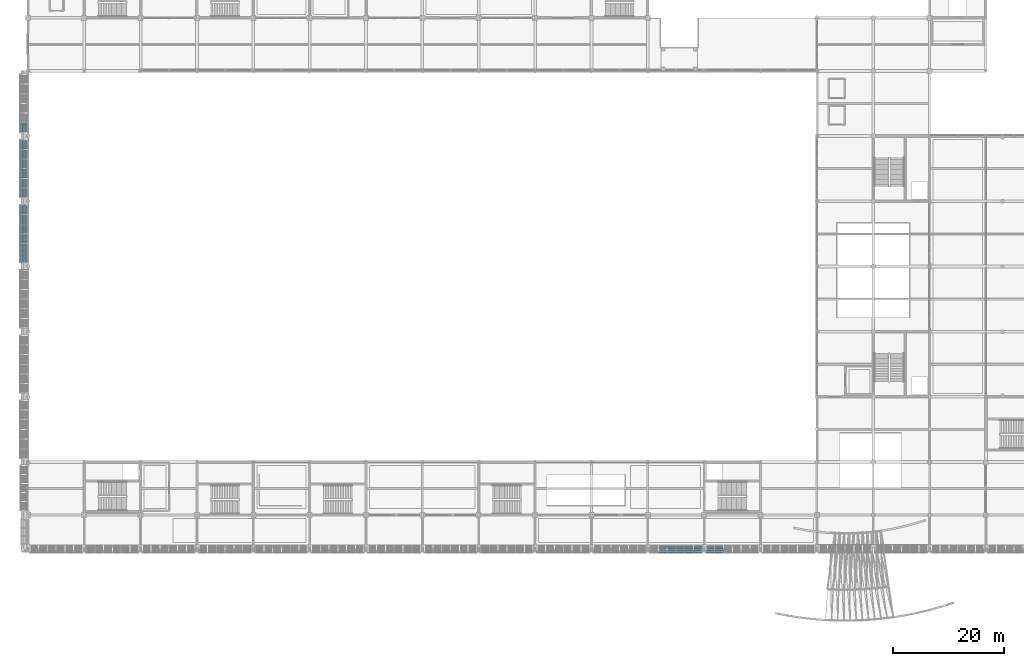
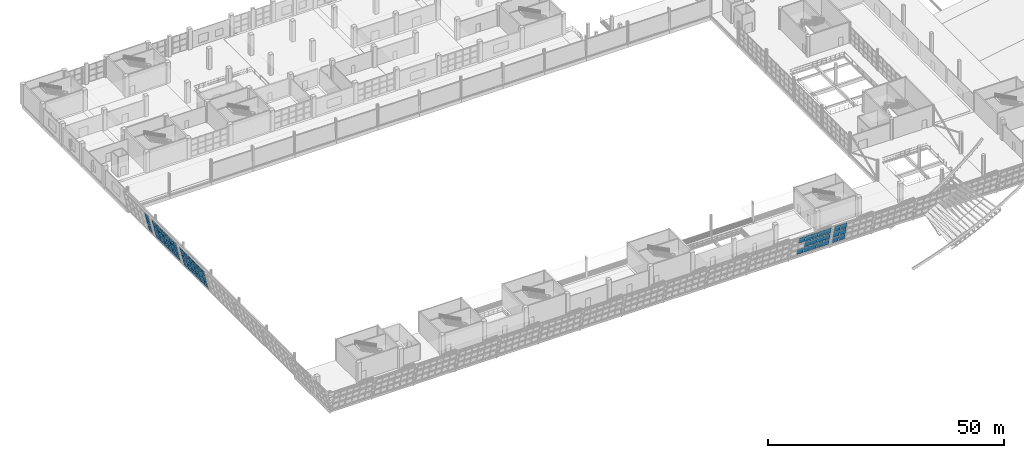
# One storey, part 107 of 175: 59 plates, 5 elements without a shape of their own.
"""IFC4 building model written with IfcOpenShell, lengths in metres."""

from ifc_helpers import new_model, si_unit, direction, frame, origin, place, context, subcontext, project, spatial, polyline, outline, extrude, material, layer, layer_set, type_object, element, aggregate, save


model = new_model("IFC4")

# Units and contexts
model_context = context("Model", 3, precision=1e-05, world=origin(), true_north=direction((0.0, 1.0)))
body_context = subcontext(model_context, "Body", "Model", "MODEL_VIEW")
ifc_project = project(units=[si_unit("LENGTHUNIT", "METRE"), si_unit("AREAUNIT", "SQUARE_METRE"), si_unit("VOLUMEUNIT", "CUBIC_METRE"), si_unit("PLANEANGLEUNIT", "RADIAN"), si_unit("MASSUNIT", "GRAM", prefix="KILO")], contexts=[model_context])

# Site, building, storey
site_placement = place(None, origin())
site = spatial("IfcSite", under=ifc_project, at=site_placement, CompositionType="ELEMENT")
building_placement = place(site_placement, origin())
building = spatial("IfcBuilding", under=site, at=building_placement, Name="Brelvane Convention Centre", CompositionType="ELEMENT")
storey_placement = place(building_placement, frame((0.0, 0.0, 5.39990234375)))
storey = spatial("IfcBuildingStorey", under=building, at=storey_placement, Name="L01", CompositionType="ELEMENT", Elevation=5.39990234375)

# Curtain wall, plates
ifc_material_1 = material(Name="Anodised Aluminium Alloy 6063-T6", Category="aluminium")
curtain_wall_type = type_object("IfcCurtainWallType", Name="Curtain Wall CW-HULL-S", PredefinedType="USERDEFINED", material=ifc_material_1)
curtain_wall_1_placement = place(storey_placement, origin())
curtain_wall_1 = element("IfcCurtainWall", 1, at=curtain_wall_1_placement, inside=storey, type_object=curtain_wall_type, Name="Curtain Wall CW-HULL-S L01-HULL-S-L01-12", ObjectType="UNITISED", PredefinedType="USERDEFINED")
ifc_material_2 = material(Name="Double Glazed Low-E Laminated Unit")
ifc_layer_1 = layer(ifc_material_2, 0.031982421875)
ifc_layer_set_1 = layer_set([ifc_layer_1], Name="Double Glazed Low-E Laminated Unit")
plate_type_1 = type_object("IfcPlateType", Name="Curtain Panel CW-PG1", PredefinedType="CURTAIN_PANEL", material=ifc_layer_set_1)
plate_1_placement = place(storey_placement, frame((114.1533203125, 12.785400390625, 3.473388671875), z_axis=(0.0, 0.973577021422, 0.228358891569), x_axis=(1.0, 0.0, 0.0)))
plate_1 = element("IfcPlate", 2, at=plate_1_placement, type_object=plate_type_1, Name="CW-HULL-S panel 2.3", PredefinedType="CURTAIN_PANEL", context=body_context, shape_type="SweptSolid", body=[
    extrude(outline(polyline([(0.0, 0.0), (1.513427734375, 0.0), (1.513427734375, -1.6400137352949753), (0.0, -1.6400137352949753), (0.0, 0.0)])), origin(), (0.0, 0.0, -1.0), 0.031982421875),
])
plate_2_placement = place(storey_placement, frame((115.74658203125, 13.18798828125, 1.7568359375), z_axis=(0.0, 0.973584535906, 0.228326852222), x_axis=(1.0, 0.0, 0.0)))
plate_2 = element("IfcPlate", 3, at=plate_2_placement, type_object=plate_type_1, Name="CW-HULL-S panel 3.2", PredefinedType="CURTAIN_PANEL", context=body_context, shape_type="SweptSolid", body=[
    extrude(outline(polyline([(0.0, 0.0), (1.513427734375, 0.0), (1.513427734375, -1.680875721647406), (0.0, -1.680875721647406), (0.0, 0.0)])), origin(), (0.0, 0.0, -1.0), 0.031982421875),
])
plate_3_placement = place(storey_placement, frame((115.74658203125, 12.785400390625, 3.473388671875), z_axis=(0.0, 0.973577021422, 0.228358891569), x_axis=(1.0, 0.0, 0.0)))
plate_3 = element("IfcPlate", 4, at=plate_3_placement, type_object=plate_type_1, Name="CW-HULL-S panel 3.3", PredefinedType="CURTAIN_PANEL", context=body_context, shape_type="SweptSolid", body=[
    extrude(outline(polyline([(0.0, 0.0), (1.513427734375, 0.0), (1.513427734375, -1.6400137352949753), (0.0, -1.6400137352949753), (0.0, 0.0)])), origin(), (0.0, 0.0, -1.0), 0.031982421875),
])
plate_4_placement = place(storey_placement, frame((117.340087890625, 13.18798828125, 1.7568359375), z_axis=(0.0, 0.973584535906, 0.228326852222), x_axis=(1.0, 0.0, 0.0)))
plate_4 = element("IfcPlate", 5, at=plate_4_placement, type_object=plate_type_1, Name="CW-HULL-S panel 4.2", PredefinedType="CURTAIN_PANEL", context=body_context, shape_type="SweptSolid", body=[
    extrude(outline(polyline([(0.0, 0.0), (1.51318359375, 0.0), (1.51318359375, -1.680875721647406), (0.0, -1.680875721647406), (0.0, 0.0)])), origin(), (0.0, 0.0, -1.0), 0.031982421875),
])
plate_5_placement = place(storey_placement, frame((117.340087890625, 12.785400390625, 3.473388671875), z_axis=(0.0, 0.973577021422, 0.228358891569), x_axis=(1.0, 0.0, 0.0)))
plate_5 = element("IfcPlate", 6, at=plate_5_placement, type_object=plate_type_1, Name="CW-HULL-S panel 4.3", PredefinedType="CURTAIN_PANEL", context=body_context, shape_type="SweptSolid", body=[
    extrude(outline(polyline([(0.0, 0.0), (1.51318359375, 0.0), (1.51318359375, -1.640013735294975), (0.0, -1.640013735294975), (0.0, 0.0)])), origin(), (0.0, 0.0, -1.0), 0.031982421875),
])
plate_6_placement = place(storey_placement, frame((118.933349609375, 13.18798828125, 1.7568359375), z_axis=(0.0, 0.973584535906, 0.228326852222), x_axis=(1.0, 0.0, 0.0)))
plate_6 = element("IfcPlate", 7, at=plate_6_placement, type_object=plate_type_1, Name="CW-HULL-S panel 5.2", PredefinedType="CURTAIN_PANEL", context=body_context, shape_type="SweptSolid", body=[
    extrude(outline(polyline([(0.0, 0.0), (1.513427734375, 0.0), (1.513427734375, -1.680875721647406), (0.0, -1.680875721647406), (0.0, 0.0)])), origin(), (0.0, 0.0, -1.0), 0.031982421875),
])
plate_7_placement = place(storey_placement, frame((118.933349609375, 12.785400390625, 3.473388671875), z_axis=(0.0, 0.973577021422, 0.228358891569), x_axis=(1.0, 0.0, 0.0)))
plate_7 = element("IfcPlate", 8, at=plate_7_placement, type_object=plate_type_1, Name="CW-HULL-S panel 5.3", PredefinedType="CURTAIN_PANEL", context=body_context, shape_type="SweptSolid", body=[
    extrude(outline(polyline([(0.0, 0.0), (1.513427734375, 0.0), (1.513427734375, -1.6400137352949753), (0.0, -1.6400137352949753), (0.0, 0.0)])), origin(), (0.0, 0.0, -1.0), 0.031982421875),
])
plate_8_placement = place(storey_placement, frame((120.526611328125, 13.18798828125, 1.7568359375), z_axis=(0.0, 0.973584535906, 0.228326852222), x_axis=(1.0, 0.0, 0.0)))
plate_8 = element("IfcPlate", 9, at=plate_8_placement, type_object=plate_type_1, Name="CW-HULL-S panel 6.2", PredefinedType="CURTAIN_PANEL", context=body_context, shape_type="SweptSolid", body=[
    extrude(outline(polyline([(0.0, 0.0), (1.473388671875, 0.0), (1.473388671875, -1.680875721647406), (0.0, -1.680875721647406), (0.0, 0.0)])), origin(), (0.0, 0.0, -1.0), 0.031982421875),
])
plate_9_placement = place(storey_placement, frame((120.526611328125, 12.785400390625, 3.473388671875), z_axis=(0.0, 0.973577021422, 0.228358891569), x_axis=(1.0, 0.0, 0.0)))
plate_9 = element("IfcPlate", 10, at=plate_9_placement, type_object=plate_type_1, Name="CW-HULL-S panel 6.3", PredefinedType="CURTAIN_PANEL", context=body_context, shape_type="SweptSolid", body=[
    extrude(outline(polyline([(0.0, 0.0), (1.473388671875, 0.0), (1.473388671875, -1.640013735294975), (0.0, -1.640013735294975), (0.0, 0.0)])), origin(), (0.0, 0.0, -1.0), 0.031982421875),
])

curtain_wall_2_placement = place(storey_placement, origin())
curtain_wall_2 = element("IfcCurtainWall", 11, at=curtain_wall_2_placement, inside=storey, type_object=curtain_wall_type, Name="Curtain Wall CW-HULL-S L01-HULL-S-L01-13", ObjectType="UNITISED", PredefinedType="USERDEFINED")
plate_10_placement = place(storey_placement, frame((122.800048828125, 13.18798828125, 1.7568359375), z_axis=(0.0, 0.973584535906, 0.228326852222), x_axis=(1.0, 0.0, 0.0)))
plate_10 = element("IfcPlate", 12, at=plate_10_placement, type_object=plate_type_1, Name="CW-HULL-S panel 1.2", PredefinedType="CURTAIN_PANEL", context=body_context, shape_type="SweptSolid", body=[
    extrude(outline(polyline([(0.0, 0.0), (1.473388671875, 0.0), (1.473388671875, -1.680875721647406), (0.0, -1.680875721647406), (0.0, 0.0)])), origin(), (0.0, 0.0, -1.0), 0.031982421875),
])
plate_11_placement = place(storey_placement, frame((122.800048828125, 12.785400390625, 3.473388671875), z_axis=(0.0, 0.973577021422, 0.228358891569), x_axis=(1.0, 0.0, 0.0)))
plate_11 = element("IfcPlate", 13, at=plate_11_placement, type_object=plate_type_1, Name="CW-HULL-S panel 1.3", PredefinedType="CURTAIN_PANEL", context=body_context, shape_type="SweptSolid", body=[
    extrude(outline(polyline([(0.0, 0.0), (1.473388671875, 0.0), (1.473388671875, -1.640013735294975), (0.0, -1.640013735294975), (0.0, 0.0)])), origin(), (0.0, 0.0, -1.0), 0.031982421875),
])
plate_12_placement = place(storey_placement, frame((124.353271484375, 13.18798828125, 1.7568359375), z_axis=(0.0, 0.973584535906, 0.228326852222), x_axis=(1.0, 0.0, 0.0)))
plate_12 = element("IfcPlate", 14, at=plate_12_placement, type_object=plate_type_1, Name="CW-HULL-S panel 2.2", PredefinedType="CURTAIN_PANEL", context=body_context, shape_type="SweptSolid", body=[
    extrude(outline(polyline([(0.0, 0.0), (1.513427734375, 0.0), (1.513427734375, -1.680875721647406), (0.0, -1.680875721647406), (0.0, 0.0)])), origin(), (0.0, 0.0, -1.0), 0.031982421875),
])
plate_13_placement = place(storey_placement, frame((124.353271484375, 12.785400390625, 3.473388671875), z_axis=(0.0, 0.973577021422, 0.228358891569), x_axis=(1.0, 0.0, 0.0)))
plate_13 = element("IfcPlate", 15, at=plate_13_placement, type_object=plate_type_1, Name="CW-HULL-S panel 2.3", PredefinedType="CURTAIN_PANEL", context=body_context, shape_type="SweptSolid", body=[
    extrude(outline(polyline([(0.0, 0.0), (1.513427734375, 0.0), (1.513427734375, -1.6400137352949753), (0.0, -1.6400137352949753), (0.0, 0.0)])), origin(), (0.0, 0.0, -1.0), 0.031982421875),
])

curtain_wall_3_placement = place(storey_placement, origin())
curtain_wall_3 = element("IfcCurtainWall", 16, at=curtain_wall_3_placement, inside=storey, type_object=curtain_wall_type, Name="Curtain Wall CW-HULL-S L01-HULL-W-L01-4", ObjectType="UNITISED", PredefinedType="USERDEFINED")
plate_14_placement = place(storey_placement, frame((-0.543701171875, 64.925048828125, 1.74169921875), z_axis=(0.9735519665, 0.0, 0.22846568347), x_axis=(0.0, 1.0, 0.0)))
plate_14 = element("IfcPlate", 17, at=plate_14_placement, type_object=plate_type_1, Name="CW-HULL-S panel 1.2", PredefinedType="CURTAIN_PANEL", context=body_context, shape_type="SweptSolid", body=[
    extrude(outline(polyline([(0.0, 0.0), (1.637451171875, 0.0), (1.637451171875, 1.6606193345403597), (0.0, 1.6606193345403597), (0.0, 0.0)])), origin(), (0.0, 0.0, -1.0), 0.031982421875),
])
plate_15_placement = place(storey_placement, frame((-0.939453125, 64.925048828125, 3.428466796875), z_axis=(0.973592305748, 0.0, 0.228293719116), x_axis=(0.0, 1.0, 0.0)))
plate_15 = element("IfcPlate", 18, at=plate_15_placement, type_object=plate_type_1, Name="CW-HULL-S panel 1.3", PredefinedType="CURTAIN_PANEL", context=body_context, shape_type="SweptSolid", body=[
    extrude(outline(polyline([(0.0, 0.0), (1.637451171875, 0.0), (1.637451171875, 1.6244407021421723), (0.0, 1.6244407021421723), (0.0, 0.0)])), origin(), (0.0, 0.0, -1.0), 0.031982421875),
])
plate_16_placement = place(storey_placement, frame((-0.543701171875, 66.637451171875, 1.74169921875), z_axis=(0.9735519665, 0.0, 0.22846568347), x_axis=(0.0, 1.0, 0.0)))
plate_16 = element("IfcPlate", 19, at=plate_16_placement, type_object=plate_type_1, Name="CW-HULL-S panel 2.2", PredefinedType="CURTAIN_PANEL", context=body_context, shape_type="SweptSolid", body=[
    extrude(outline(polyline([(0.0, 0.0), (1.675048828125, 0.0), (1.675048828125, 1.66061933454036), (0.0, 1.66061933454036), (0.0, 0.0)])), origin(), (0.0, 0.0, -1.0), 0.031982421875),
])
plate_17_placement = place(storey_placement, frame((-0.939453125, 66.637451171875, 3.428466796875), z_axis=(0.973592305748, 0.0, 0.228293719116), x_axis=(0.0, 1.0, 0.0)))
plate_17 = element("IfcPlate", 20, at=plate_17_placement, type_object=plate_type_1, Name="CW-HULL-S panel 2.3", PredefinedType="CURTAIN_PANEL", context=body_context, shape_type="SweptSolid", body=[
    extrude(outline(polyline([(0.0, 0.0), (1.675048828125, 0.0), (1.675048828125, 1.624440702142172), (0.0, 1.624440702142172), (0.0, 0.0)])), origin(), (0.0, 0.0, -1.0), 0.031982421875),
])
plate_18_placement = place(storey_placement, frame((-0.543701171875, 68.387451171875, 1.74169921875), z_axis=(0.9735519665, 0.0, 0.22846568347), x_axis=(0.0, 1.0, 0.0)))
plate_18 = element("IfcPlate", 21, at=plate_18_placement, type_object=plate_type_1, Name="CW-HULL-S panel 3.2", PredefinedType="CURTAIN_PANEL", context=body_context, shape_type="SweptSolid", body=[
    extrude(outline(polyline([(0.0, 0.0), (1.675048828125, 0.0), (1.675048828125, 1.66061933454036), (0.0, 1.66061933454036), (0.0, 0.0)])), origin(), (0.0, 0.0, -1.0), 0.031982421875),
])
plate_19_placement = place(storey_placement, frame((-0.939453125, 68.387451171875, 3.428466796875), z_axis=(0.973592305748, 0.0, 0.228293719116), x_axis=(0.0, 1.0, 0.0)))
plate_19 = element("IfcPlate", 22, at=plate_19_placement, type_object=plate_type_1, Name="CW-HULL-S panel 3.3", PredefinedType="CURTAIN_PANEL", context=body_context, shape_type="SweptSolid", body=[
    extrude(outline(polyline([(0.0, 0.0), (1.675048828125, 0.0), (1.675048828125, 1.624440702142172), (0.0, 1.624440702142172), (0.0, 0.0)])), origin(), (0.0, 0.0, -1.0), 0.031982421875),
])
plate_20_placement = place(storey_placement, frame((-0.543701171875, 70.137451171875, 1.74169921875), z_axis=(0.9735519665, 0.0, 0.22846568347), x_axis=(0.0, 1.0, 0.0)))
plate_20 = element("IfcPlate", 23, at=plate_20_placement, type_object=plate_type_1, Name="CW-HULL-S panel 4.2", PredefinedType="CURTAIN_PANEL", context=body_context, shape_type="SweptSolid", body=[
    extrude(outline(polyline([(0.0, 0.0), (1.675048828125, 0.0), (1.675048828125, 1.66061933454036), (0.0, 1.66061933454036), (0.0, 0.0)])), origin(), (0.0, 0.0, -1.0), 0.031982421875),
])
plate_21_placement = place(storey_placement, frame((-0.939453125, 70.137451171875, 3.428466796875), z_axis=(0.973592305748, 0.0, 0.228293719116), x_axis=(0.0, 1.0, 0.0)))
plate_21 = element("IfcPlate", 24, at=plate_21_placement, type_object=plate_type_1, Name="CW-HULL-S panel 4.3", PredefinedType="CURTAIN_PANEL", context=body_context, shape_type="SweptSolid", body=[
    extrude(outline(polyline([(0.0, 0.0), (1.675048828125, 0.0), (1.675048828125, 1.624440702142172), (0.0, 1.624440702142172), (0.0, 0.0)])), origin(), (0.0, 0.0, -1.0), 0.031982421875),
])
plate_22_placement = place(storey_placement, frame((-0.543701171875, 71.887451171875, 1.74169921875), z_axis=(0.9735519665, 0.0, 0.22846568347), x_axis=(0.0, 1.0, 0.0)))
plate_22 = element("IfcPlate", 25, at=plate_22_placement, type_object=plate_type_1, Name="CW-HULL-S panel 5.2", PredefinedType="CURTAIN_PANEL", context=body_context, shape_type="SweptSolid", body=[
    extrude(outline(polyline([(0.0, 0.0), (1.675048828125, 0.0), (1.675048828125, 1.66061933454036), (0.0, 1.66061933454036), (0.0, 0.0)])), origin(), (0.0, 0.0, -1.0), 0.031982421875),
])
plate_23_placement = place(storey_placement, frame((-0.939453125, 71.887451171875, 3.428466796875), z_axis=(0.973592305748, 0.0, 0.228293719116), x_axis=(0.0, 1.0, 0.0)))
plate_23 = element("IfcPlate", 26, at=plate_23_placement, type_object=plate_type_1, Name="CW-HULL-S panel 5.3", PredefinedType="CURTAIN_PANEL", context=body_context, shape_type="SweptSolid", body=[
    extrude(outline(polyline([(0.0, 0.0), (1.675048828125, 0.0), (1.675048828125, 1.624440702142172), (0.0, 1.624440702142172), (0.0, 0.0)])), origin(), (0.0, 0.0, -1.0), 0.031982421875),
])
plate_24_placement = place(storey_placement, frame((-0.543701171875, 73.637451171875, 1.74169921875), z_axis=(0.9735519665, 0.0, 0.22846568347), x_axis=(0.0, 1.0, 0.0)))
plate_24 = element("IfcPlate", 27, at=plate_24_placement, type_object=plate_type_1, Name="CW-HULL-S panel 6.2", PredefinedType="CURTAIN_PANEL", context=body_context, shape_type="SweptSolid", body=[
    extrude(outline(polyline([(0.0, 0.0), (1.637451171875, 0.0), (1.637451171875, 1.6606193345403597), (0.0, 1.6606193345403597), (0.0, 0.0)])), origin(), (0.0, 0.0, -1.0), 0.031982421875),
])
plate_25_placement = place(storey_placement, frame((-0.939453125, 73.637451171875, 3.428466796875), z_axis=(0.973592305748, 0.0, 0.228293719116), x_axis=(0.0, 1.0, 0.0)))
plate_25 = element("IfcPlate", 28, at=plate_25_placement, type_object=plate_type_1, Name="CW-HULL-S panel 6.3", PredefinedType="CURTAIN_PANEL", context=body_context, shape_type="SweptSolid", body=[
    extrude(outline(polyline([(0.0, 0.0), (1.637451171875, 0.0), (1.637451171875, 1.6244407021421723), (0.0, 1.6244407021421723), (0.0, 0.0)])), origin(), (0.0, 0.0, -1.0), 0.031982421875),
])

curtain_wall_4_placement = place(storey_placement, origin())
curtain_wall_4 = element("IfcCurtainWall", 29, at=curtain_wall_4_placement, inside=storey, type_object=curtain_wall_type, Name="Curtain Wall CW-HULL-S L01-HULL-W-L01-5", ObjectType="UNITISED", PredefinedType="USERDEFINED")
plate_26_placement = place(storey_placement, frame((-0.543701171875, 76.72509765625, 1.74169921875), z_axis=(0.9735519665, 0.0, 0.22846568347), x_axis=(0.0, 1.0, 0.0)))
plate_26 = element("IfcPlate", 30, at=plate_26_placement, type_object=plate_type_1, Name="CW-HULL-S panel 1.2", PredefinedType="CURTAIN_PANEL", context=body_context, shape_type="SweptSolid", body=[
    extrude(outline(polyline([(0.0, 0.0), (1.637451171875, 0.0), (1.637451171875, 1.6606193345403597), (0.0, 1.6606193345403597), (0.0, 0.0)])), origin(), (0.0, 0.0, -1.0), 0.031982421875),
])
plate_27_placement = place(storey_placement, frame((-0.939453125, 76.72509765625, 3.428466796875), z_axis=(0.973592305748, 0.0, 0.228293719116), x_axis=(0.0, 1.0, 0.0)))
plate_27 = element("IfcPlate", 31, at=plate_27_placement, type_object=plate_type_1, Name="CW-HULL-S panel 1.3", PredefinedType="CURTAIN_PANEL", context=body_context, shape_type="SweptSolid", body=[
    extrude(outline(polyline([(0.0, 0.0), (1.637451171875, 0.0), (1.637451171875, 1.6244407021421723), (0.0, 1.6244407021421723), (0.0, 0.0)])), origin(), (0.0, 0.0, -1.0), 0.031982421875),
])
plate_28_placement = place(storey_placement, frame((-0.543701171875, 78.4375, 1.74169921875), z_axis=(0.9735519665, 0.0, 0.22846568347), x_axis=(0.0, 1.0, 0.0)))
plate_28 = element("IfcPlate", 32, at=plate_28_placement, type_object=plate_type_1, Name="CW-HULL-S panel 2.2", PredefinedType="CURTAIN_PANEL", context=body_context, shape_type="SweptSolid", body=[
    extrude(outline(polyline([(0.0, 0.0), (1.675048828125, 0.0), (1.675048828125, 1.66061933454036), (0.0, 1.66061933454036), (0.0, 0.0)])), origin(), (0.0, 0.0, -1.0), 0.031982421875),
])
plate_29_placement = place(storey_placement, frame((-0.939453125, 78.4375, 3.428466796875), z_axis=(0.973592305748, 0.0, 0.228293719116), x_axis=(0.0, 1.0, 0.0)))
plate_29 = element("IfcPlate", 33, at=plate_29_placement, type_object=plate_type_1, Name="CW-HULL-S panel 2.3", PredefinedType="CURTAIN_PANEL", context=body_context, shape_type="SweptSolid", body=[
    extrude(outline(polyline([(0.0, 0.0), (1.675048828125, 0.0), (1.675048828125, 1.624440702142172), (0.0, 1.624440702142172), (0.0, 0.0)])), origin(), (0.0, 0.0, -1.0), 0.031982421875),
])
plate_30_placement = place(storey_placement, frame((-0.543701171875, 80.1875, 1.74169921875), z_axis=(0.9735519665, 0.0, 0.22846568347), x_axis=(0.0, 1.0, 0.0)))
plate_30 = element("IfcPlate", 34, at=plate_30_placement, type_object=plate_type_1, Name="CW-HULL-S panel 3.2", PredefinedType="CURTAIN_PANEL", context=body_context, shape_type="SweptSolid", body=[
    extrude(outline(polyline([(0.0, 0.0), (1.675048828125, 0.0), (1.675048828125, 1.66061933454036), (0.0, 1.66061933454036), (0.0, 0.0)])), origin(), (0.0, 0.0, -1.0), 0.031982421875),
])
plate_31_placement = place(storey_placement, frame((-0.939453125, 80.1875, 3.428466796875), z_axis=(0.973592305748, 0.0, 0.228293719116), x_axis=(0.0, 1.0, 0.0)))
plate_31 = element("IfcPlate", 35, at=plate_31_placement, type_object=plate_type_1, Name="CW-HULL-S panel 3.3", PredefinedType="CURTAIN_PANEL", context=body_context, shape_type="SweptSolid", body=[
    extrude(outline(polyline([(0.0, 0.0), (1.675048828125, 0.0), (1.675048828125, 1.624440702142172), (0.0, 1.624440702142172), (0.0, 0.0)])), origin(), (0.0, 0.0, -1.0), 0.031982421875),
])
plate_32_placement = place(storey_placement, frame((-0.543701171875, 81.9375, 1.74169921875), z_axis=(0.9735519665, 0.0, 0.22846568347), x_axis=(0.0, 1.0, 0.0)))
plate_32 = element("IfcPlate", 36, at=plate_32_placement, type_object=plate_type_1, Name="CW-HULL-S panel 4.2", PredefinedType="CURTAIN_PANEL", context=body_context, shape_type="SweptSolid", body=[
    extrude(outline(polyline([(0.0, 0.0), (1.675048828125, 0.0), (1.675048828125, 1.66061933454036), (0.0, 1.66061933454036), (0.0, 0.0)])), origin(), (0.0, 0.0, -1.0), 0.031982421875),
])
plate_33_placement = place(storey_placement, frame((-0.939453125, 81.9375, 3.428466796875), z_axis=(0.973592305748, 0.0, 0.228293719116), x_axis=(0.0, 1.0, 0.0)))
plate_33 = element("IfcPlate", 37, at=plate_33_placement, type_object=plate_type_1, Name="CW-HULL-S panel 4.3", PredefinedType="CURTAIN_PANEL", context=body_context, shape_type="SweptSolid", body=[
    extrude(outline(polyline([(0.0, 0.0), (1.675048828125, 0.0), (1.675048828125, 1.624440702142172), (0.0, 1.624440702142172), (0.0, 0.0)])), origin(), (0.0, 0.0, -1.0), 0.031982421875),
])
plate_34_placement = place(storey_placement, frame((-0.543701171875, 83.6875, 1.74169921875), z_axis=(0.9735519665, 0.0, 0.22846568347), x_axis=(0.0, 1.0, 0.0)))
plate_34 = element("IfcPlate", 38, at=plate_34_placement, type_object=plate_type_1, Name="CW-HULL-S panel 5.2", PredefinedType="CURTAIN_PANEL", context=body_context, shape_type="SweptSolid", body=[
    extrude(outline(polyline([(0.0, 0.0), (1.675048828125, 0.0), (1.675048828125, 1.66061933454036), (0.0, 1.66061933454036), (0.0, 0.0)])), origin(), (0.0, 0.0, -1.0), 0.031982421875),
])
plate_35_placement = place(storey_placement, frame((-0.939453125, 83.6875, 3.428466796875), z_axis=(0.973592305748, 0.0, 0.228293719116), x_axis=(0.0, 1.0, 0.0)))
plate_35 = element("IfcPlate", 39, at=plate_35_placement, type_object=plate_type_1, Name="CW-HULL-S panel 5.3", PredefinedType="CURTAIN_PANEL", context=body_context, shape_type="SweptSolid", body=[
    extrude(outline(polyline([(0.0, 0.0), (1.675048828125, 0.0), (1.675048828125, 1.624440702142172), (0.0, 1.624440702142172), (0.0, 0.0)])), origin(), (0.0, 0.0, -1.0), 0.031982421875),
])
plate_36_placement = place(storey_placement, frame((-0.543701171875, 85.4375, 1.74169921875), z_axis=(0.9735519665, 0.0, 0.22846568347), x_axis=(0.0, 1.0, 0.0)))
plate_36 = element("IfcPlate", 40, at=plate_36_placement, type_object=plate_type_1, Name="CW-HULL-S panel 6.2", PredefinedType="CURTAIN_PANEL", context=body_context, shape_type="SweptSolid", body=[
    extrude(outline(polyline([(0.0, 0.0), (1.637451171875, 0.0), (1.637451171875, 1.6606193345403597), (0.0, 1.6606193345403597), (0.0, 0.0)])), origin(), (0.0, 0.0, -1.0), 0.031982421875),
])
plate_37_placement = place(storey_placement, frame((-0.939453125, 85.4375, 3.428466796875), z_axis=(0.973592305748, 0.0, 0.228293719116), x_axis=(0.0, 1.0, 0.0)))
plate_37 = element("IfcPlate", 41, at=plate_37_placement, type_object=plate_type_1, Name="CW-HULL-S panel 6.3", PredefinedType="CURTAIN_PANEL", context=body_context, shape_type="SweptSolid", body=[
    extrude(outline(polyline([(0.0, 0.0), (1.637451171875, 0.0), (1.637451171875, 1.6244407021421723), (0.0, 1.6244407021421723), (0.0, 0.0)])), origin(), (0.0, 0.0, -1.0), 0.031982421875),
])

curtain_wall_5_placement = place(storey_placement, origin())
curtain_wall_5 = element("IfcCurtainWall", 42, at=curtain_wall_5_placement, inside=storey, type_object=curtain_wall_type, Name="Curtain Wall CW-HULL-S L01-HULL-W-L01-6", ObjectType="UNITISED", PredefinedType="USERDEFINED")
plate_38_placement = place(storey_placement, frame((-0.543701171875, 88.52490234375, 1.74169921875), z_axis=(0.9735519665, 0.0, 0.22846568347), x_axis=(0.0, 1.0, 0.0)))
plate_38 = element("IfcPlate", 43, at=plate_38_placement, type_object=plate_type_1, Name="CW-HULL-S panel 1.2", PredefinedType="CURTAIN_PANEL", context=body_context, shape_type="SweptSolid", body=[
    extrude(outline(polyline([(0.0, 0.0), (1.6376953125, 0.0), (1.6376953125, 1.66061933454036), (0.0, 1.66061933454036), (0.0, 0.0)])), origin(), (0.0, 0.0, -1.0), 0.031982421875),
])
plate_39_placement = place(storey_placement, frame((-0.939453125, 88.52490234375, 3.428466796875), z_axis=(0.973592305748, 0.0, 0.228293719116), x_axis=(0.0, 1.0, 0.0)))
plate_39 = element("IfcPlate", 44, at=plate_39_placement, type_object=plate_type_1, Name="CW-HULL-S panel 1.3", PredefinedType="CURTAIN_PANEL", context=body_context, shape_type="SweptSolid", body=[
    extrude(outline(polyline([(0.0, 0.0), (1.6376953125, 0.0), (1.6376953125, 1.6244407021421723), (0.0, 1.6244407021421723), (0.0, 0.0)])), origin(), (0.0, 0.0, -1.0), 0.031982421875),
])

# Plate
ifc_material_3 = material(Name="Patinated Copper-Bronze Alloy C22000")
ifc_layer_2 = layer(ifc_material_3, 0.048095703125)
ifc_layer_set_2 = layer_set([ifc_layer_2], Name="Patinated Copper-Bronze Alloy C22000")
plate_type_2 = type_object("IfcPlateType", Name="Curtain Panel CW-PS1", PredefinedType="CURTAIN_PANEL", material=ifc_layer_set_2)
plate_40_placement = place(storey_placement, frame((114.1533203125, 13.581298828125, 0.080078125), z_axis=(0.0, 0.973577021422, 0.228358891569), x_axis=(1.0, 0.0, 0.0)))
plate_40 = element("IfcPlate", 45, at=plate_40_placement, type_object=plate_type_2, Name="CW-HULL-S panel 2.1", PredefinedType="CURTAIN_PANEL", context=body_context, shape_type="SweptSolid", body=[
    extrude(outline(polyline([(0.0, 0.0), (1.513427734375, 0.0), (1.513427734375, -1.6400137352949753), (0.0, -1.6400137352949753), (0.0, 0.0)])), origin(), (0.0, 0.0, -1.0), 0.031982421875),
])

plate_41_placement = place(storey_placement, frame((115.74658203125, 13.581298828125, 0.080078125), z_axis=(0.0, 0.973577021422, 0.228358891569), x_axis=(1.0, 0.0, 0.0)))
plate_41 = element("IfcPlate", 46, at=plate_41_placement, type_object=plate_type_2, Name="CW-HULL-S panel 3.1", PredefinedType="CURTAIN_PANEL", context=body_context, shape_type="SweptSolid", body=[
    extrude(outline(polyline([(0.0, 0.0), (1.513427734375, 0.0), (1.513427734375, -1.6400137352949753), (0.0, -1.6400137352949753), (0.0, 0.0)])), origin(), (0.0, 0.0, -1.0), 0.031982421875),
])

plate_42_placement = place(storey_placement, frame((117.340087890625, 13.581298828125, 0.080078125), z_axis=(0.0, 0.973577021422, 0.228358891569), x_axis=(1.0, 0.0, 0.0)))
plate_42 = element("IfcPlate", 47, at=plate_42_placement, type_object=plate_type_2, Name="CW-HULL-S panel 4.1", PredefinedType="CURTAIN_PANEL", context=body_context, shape_type="SweptSolid", body=[
    extrude(outline(polyline([(0.0, 0.0), (1.51318359375, 0.0), (1.51318359375, -1.640013735294975), (0.0, -1.640013735294975), (0.0, 0.0)])), origin(), (0.0, 0.0, -1.0), 0.031982421875),
])

plate_43_placement = place(storey_placement, frame((118.933349609375, 13.581298828125, 0.080078125), z_axis=(0.0, 0.973577021422, 0.228358891569), x_axis=(1.0, 0.0, 0.0)))
plate_43 = element("IfcPlate", 48, at=plate_43_placement, type_object=plate_type_2, Name="CW-HULL-S panel 5.1", PredefinedType="CURTAIN_PANEL", context=body_context, shape_type="SweptSolid", body=[
    extrude(outline(polyline([(0.0, 0.0), (1.513427734375, 0.0), (1.513427734375, -1.6400137352949753), (0.0, -1.6400137352949753), (0.0, 0.0)])), origin(), (0.0, 0.0, -1.0), 0.031982421875),
])

plate_44_placement = place(storey_placement, frame((120.526611328125, 13.581298828125, 0.080078125), z_axis=(0.0, 0.973577021422, 0.228358891569), x_axis=(1.0, 0.0, 0.0)))
plate_44 = element("IfcPlate", 49, at=plate_44_placement, type_object=plate_type_2, Name="CW-HULL-S panel 6.1", PredefinedType="CURTAIN_PANEL", context=body_context, shape_type="SweptSolid", body=[
    extrude(outline(polyline([(0.0, 0.0), (1.473388671875, 0.0), (1.473388671875, -1.640013735294975), (0.0, -1.640013735294975), (0.0, 0.0)])), origin(), (0.0, 0.0, -1.0), 0.031982421875),
])

aggregate(curtain_wall_1, [plate_40, plate_1, plate_41, plate_2, plate_3, plate_42, plate_4, plate_5, plate_43, plate_6, plate_7, plate_44, plate_8, plate_9])

plate_45_placement = place(storey_placement, frame((122.800048828125, 13.581298828125, 0.080078125), z_axis=(0.0, 0.973577021422, 0.228358891569), x_axis=(1.0, 0.0, 0.0)))
plate_45 = element("IfcPlate", 50, at=plate_45_placement, type_object=plate_type_2, Name="CW-HULL-S panel 1.1", PredefinedType="CURTAIN_PANEL", context=body_context, shape_type="SweptSolid", body=[
    extrude(outline(polyline([(0.0, 0.0), (1.473388671875, 0.0), (1.473388671875, -1.640013735294975), (0.0, -1.640013735294975), (0.0, 0.0)])), origin(), (0.0, 0.0, -1.0), 0.031982421875),
])

plate_46_placement = place(storey_placement, frame((124.353271484375, 13.581298828125, 0.080078125), z_axis=(0.0, 0.973577021422, 0.228358891569), x_axis=(1.0, 0.0, 0.0)))
plate_46 = element("IfcPlate", 51, at=plate_46_placement, type_object=plate_type_2, Name="CW-HULL-S panel 2.1", PredefinedType="CURTAIN_PANEL", context=body_context, shape_type="SweptSolid", body=[
    extrude(outline(polyline([(0.0, 0.0), (1.513427734375, 0.0), (1.513427734375, -1.6400137352949753), (0.0, -1.6400137352949753), (0.0, 0.0)])), origin(), (0.0, 0.0, -1.0), 0.031982421875),
])

aggregate(curtain_wall_2, [plate_45, plate_10, plate_11, plate_46, plate_12, plate_13])

plate_47_placement = place(storey_placement, frame((-0.156494140625, 64.925048828125, 0.090087890625), z_axis=(0.973600136957, 0.0, 0.228260319191), x_axis=(0.0, 1.0, 0.0)))
plate_47 = element("IfcPlate", 52, at=plate_47_placement, type_object=plate_type_2, Name="CW-HULL-S panel 1.1", PredefinedType="CURTAIN_PANEL", context=body_context, shape_type="SweptSolid", body=[
    extrude(outline(polyline([(0.0, 0.0), (1.637451171875, 0.0), (1.637451171875, 1.624678396532221), (0.0, 1.624678396532221), (0.0, 0.0)])), origin(), (0.0, 0.0, -1.0), 0.031982421875),
])

plate_48_placement = place(storey_placement, frame((-0.156494140625, 66.637451171875, 0.090087890625), z_axis=(0.973600136957, 0.0, 0.228260319191), x_axis=(0.0, 1.0, 0.0)))
plate_48 = element("IfcPlate", 53, at=plate_48_placement, type_object=plate_type_2, Name="CW-HULL-S panel 2.1", PredefinedType="CURTAIN_PANEL", context=body_context, shape_type="SweptSolid", body=[
    extrude(outline(polyline([(0.0, 0.0), (1.675048828125, 0.0), (1.675048828125, 1.624678396532221), (0.0, 1.624678396532221), (0.0, 0.0)])), origin(), (0.0, 0.0, -1.0), 0.031982421875),
])

plate_49_placement = place(storey_placement, frame((-0.156494140625, 68.387451171875, 0.090087890625), z_axis=(0.973600136957, 0.0, 0.228260319191), x_axis=(0.0, 1.0, 0.0)))
plate_49 = element("IfcPlate", 54, at=plate_49_placement, type_object=plate_type_2, Name="CW-HULL-S panel 3.1", PredefinedType="CURTAIN_PANEL", context=body_context, shape_type="SweptSolid", body=[
    extrude(outline(polyline([(0.0, 0.0), (1.675048828125, 0.0), (1.675048828125, 1.624678396532221), (0.0, 1.624678396532221), (0.0, 0.0)])), origin(), (0.0, 0.0, -1.0), 0.031982421875),
])

plate_50_placement = place(storey_placement, frame((-0.156494140625, 70.137451171875, 0.090087890625), z_axis=(0.973600136957, 0.0, 0.228260319191), x_axis=(0.0, 1.0, 0.0)))
plate_50 = element("IfcPlate", 55, at=plate_50_placement, type_object=plate_type_2, Name="CW-HULL-S panel 4.1", PredefinedType="CURTAIN_PANEL", context=body_context, shape_type="SweptSolid", body=[
    extrude(outline(polyline([(0.0, 0.0), (1.675048828125, 0.0), (1.675048828125, 1.624678396532221), (0.0, 1.624678396532221), (0.0, 0.0)])), origin(), (0.0, 0.0, -1.0), 0.031982421875),
])

plate_51_placement = place(storey_placement, frame((-0.156494140625, 71.887451171875, 0.090087890625), z_axis=(0.973600136957, 0.0, 0.228260319191), x_axis=(0.0, 1.0, 0.0)))
plate_51 = element("IfcPlate", 56, at=plate_51_placement, type_object=plate_type_2, Name="CW-HULL-S panel 5.1", PredefinedType="CURTAIN_PANEL", context=body_context, shape_type="SweptSolid", body=[
    extrude(outline(polyline([(0.0, 0.0), (1.675048828125, 0.0), (1.675048828125, 1.624678396532221), (0.0, 1.624678396532221), (0.0, 0.0)])), origin(), (0.0, 0.0, -1.0), 0.031982421875),
])

plate_52_placement = place(storey_placement, frame((-0.156494140625, 73.637451171875, 0.090087890625), z_axis=(0.973600136957, 0.0, 0.228260319191), x_axis=(0.0, 1.0, 0.0)))
plate_52 = element("IfcPlate", 57, at=plate_52_placement, type_object=plate_type_2, Name="CW-HULL-S panel 6.1", PredefinedType="CURTAIN_PANEL", context=body_context, shape_type="SweptSolid", body=[
    extrude(outline(polyline([(0.0, 0.0), (1.637451171875, 0.0), (1.637451171875, 1.624678396532221), (0.0, 1.624678396532221), (0.0, 0.0)])), origin(), (0.0, 0.0, -1.0), 0.031982421875),
])

aggregate(curtain_wall_3, [plate_47, plate_14, plate_15, plate_48, plate_16, plate_17, plate_49, plate_18, plate_19, plate_50, plate_20, plate_21, plate_51, plate_22, plate_23, plate_52, plate_24, plate_25])

plate_53_placement = place(storey_placement, frame((-0.156494140625, 76.72509765625, 0.090087890625), z_axis=(0.973600136957, 0.0, 0.228260319191), x_axis=(0.0, 1.0, 0.0)))
plate_53 = element("IfcPlate", 58, at=plate_53_placement, type_object=plate_type_2, Name="CW-HULL-S panel 1.1", PredefinedType="CURTAIN_PANEL", context=body_context, shape_type="SweptSolid", body=[
    extrude(outline(polyline([(0.0, 0.0), (1.637451171875, 0.0), (1.637451171875, 1.624678396532221), (0.0, 1.624678396532221), (0.0, 0.0)])), origin(), (0.0, 0.0, -1.0), 0.031982421875),
])

plate_54_placement = place(storey_placement, frame((-0.156494140625, 78.4375, 0.090087890625), z_axis=(0.973600136957, 0.0, 0.228260319191), x_axis=(0.0, 1.0, 0.0)))
plate_54 = element("IfcPlate", 59, at=plate_54_placement, type_object=plate_type_2, Name="CW-HULL-S panel 2.1", PredefinedType="CURTAIN_PANEL", context=body_context, shape_type="SweptSolid", body=[
    extrude(outline(polyline([(0.0, 0.0), (1.675048828125, 0.0), (1.675048828125, 1.624678396532221), (0.0, 1.624678396532221), (0.0, 0.0)])), origin(), (0.0, 0.0, -1.0), 0.031982421875),
])

plate_55_placement = place(storey_placement, frame((-0.156494140625, 80.1875, 0.090087890625), z_axis=(0.973600136957, 0.0, 0.228260319191), x_axis=(0.0, 1.0, 0.0)))
plate_55 = element("IfcPlate", 60, at=plate_55_placement, type_object=plate_type_2, Name="CW-HULL-S panel 3.1", PredefinedType="CURTAIN_PANEL", context=body_context, shape_type="SweptSolid", body=[
    extrude(outline(polyline([(0.0, 0.0), (1.675048828125, 0.0), (1.675048828125, 1.624678396532221), (0.0, 1.624678396532221), (0.0, 0.0)])), origin(), (0.0, 0.0, -1.0), 0.031982421875),
])

plate_56_placement = place(storey_placement, frame((-0.156494140625, 81.9375, 0.090087890625), z_axis=(0.973600136957, 0.0, 0.228260319191), x_axis=(0.0, 1.0, 0.0)))
plate_56 = element("IfcPlate", 61, at=plate_56_placement, type_object=plate_type_2, Name="CW-HULL-S panel 4.1", PredefinedType="CURTAIN_PANEL", context=body_context, shape_type="SweptSolid", body=[
    extrude(outline(polyline([(0.0, 0.0), (1.675048828125, 0.0), (1.675048828125, 1.624678396532221), (0.0, 1.624678396532221), (0.0, 0.0)])), origin(), (0.0, 0.0, -1.0), 0.031982421875),
])

plate_57_placement = place(storey_placement, frame((-0.156494140625, 83.6875, 0.090087890625), z_axis=(0.973600136957, 0.0, 0.228260319191), x_axis=(0.0, 1.0, 0.0)))
plate_57 = element("IfcPlate", 62, at=plate_57_placement, type_object=plate_type_2, Name="CW-HULL-S panel 5.1", PredefinedType="CURTAIN_PANEL", context=body_context, shape_type="SweptSolid", body=[
    extrude(outline(polyline([(0.0, 0.0), (1.675048828125, 0.0), (1.675048828125, 1.624678396532221), (0.0, 1.624678396532221), (0.0, 0.0)])), origin(), (0.0, 0.0, -1.0), 0.031982421875),
])

plate_58_placement = place(storey_placement, frame((-0.156494140625, 85.4375, 0.090087890625), z_axis=(0.973600136957, 0.0, 0.228260319191), x_axis=(0.0, 1.0, 0.0)))
plate_58 = element("IfcPlate", 63, at=plate_58_placement, type_object=plate_type_2, Name="CW-HULL-S panel 6.1", PredefinedType="CURTAIN_PANEL", context=body_context, shape_type="SweptSolid", body=[
    extrude(outline(polyline([(0.0, 0.0), (1.637451171875, 0.0), (1.637451171875, 1.624678396532221), (0.0, 1.624678396532221), (0.0, 0.0)])), origin(), (0.0, 0.0, -1.0), 0.031982421875),
])

aggregate(curtain_wall_4, [plate_53, plate_26, plate_27, plate_54, plate_28, plate_29, plate_55, plate_30, plate_31, plate_56, plate_32, plate_33, plate_57, plate_34, plate_35, plate_58, plate_36, plate_37])

plate_59_placement = place(storey_placement, frame((-0.156494140625, 88.52490234375, 0.090087890625), z_axis=(0.973600136957, 0.0, 0.228260319191), x_axis=(0.0, 1.0, 0.0)))
plate_59 = element("IfcPlate", 64, at=plate_59_placement, type_object=plate_type_2, Name="CW-HULL-S panel 1.1", PredefinedType="CURTAIN_PANEL", context=body_context, shape_type="SweptSolid", body=[
    extrude(outline(polyline([(0.0, 0.0), (1.6376953125, 0.0), (1.6376953125, 1.624678396532221), (0.0, 1.624678396532221), (0.0, 0.0)])), origin(), (0.0, 0.0, -1.0), 0.031982421875),
])

aggregate(curtain_wall_5, [plate_59, plate_38, plate_39])

save(model, "model.ifc")
